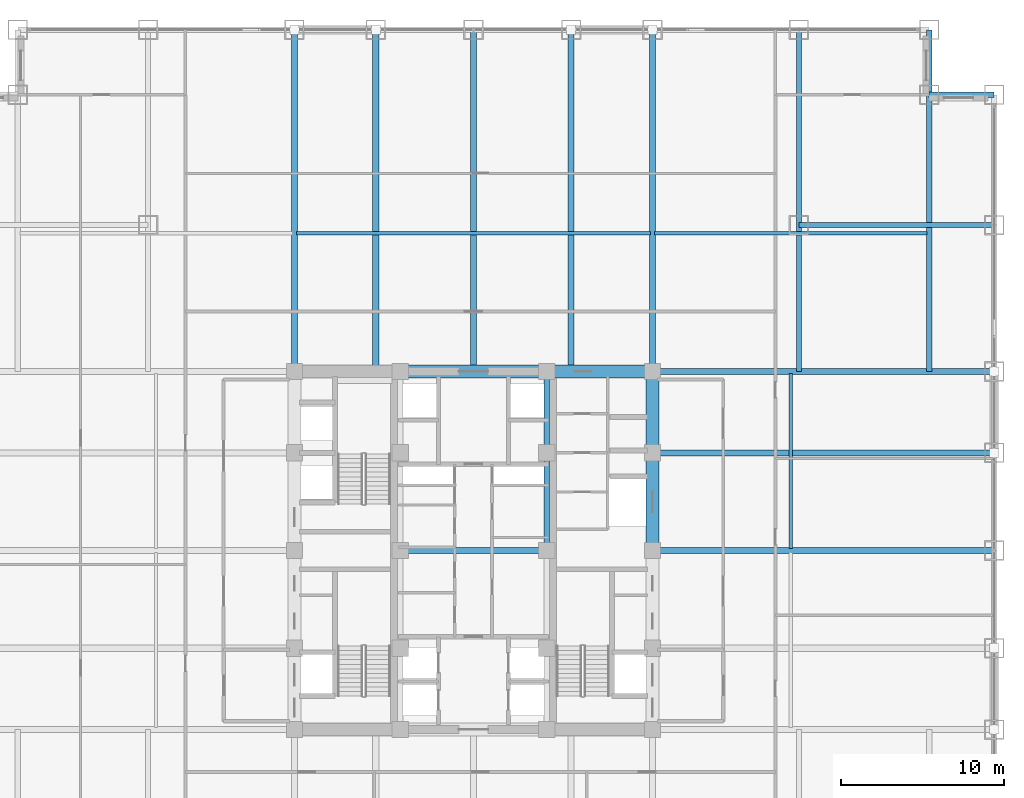
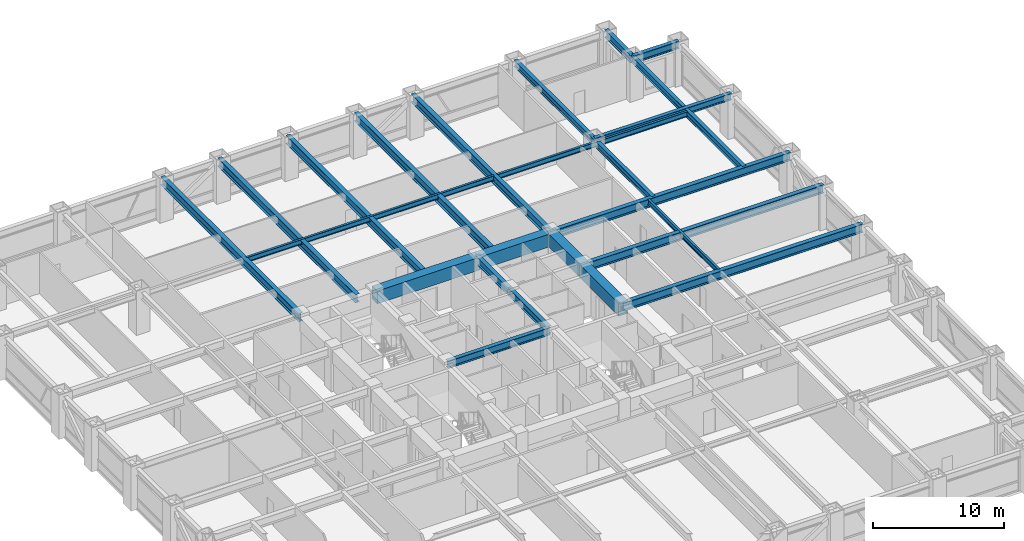
# One storey, part 11 of 27: 23 beams.
"""IFC4 building model written with IfcOpenShell, lengths in metres."""

import ifcopenshell
import ifcopenshell.guid

model = None  # the IFC model being written
_history = None  # IfcOwnerHistory: only IFC2X3 demands one
_inside = {}  # id of a spatial element -> (the spatial element, [elements in it])
_under = {}  # id of a project, library or spatial element -> (it, [spatial elements below it])
_declared = {}  # id of a project -> (the project, [libraries it declares])
_typed = {}  # id of a type object -> (the type object, [elements of that type])
_made_of = {}  # id of a material, layer set ... -> (it, [elements and type objects made of it])


def new_model(schema):
    """Start an empty IFC model of exactly this schema.

    Asked for "IFC4X3", IfcOpenShell would pick the latest addendum, in which some entities
    have other attributes; the version numbers below select the first issue.
    IFC2X3 requires an IfcOwnerHistory on every rooted entity: one is made here for all.
    """
    global model, _history
    if schema == "IFC4X3":
        model = ifcopenshell.file(schema_version=(4, 3, 0, 0))
    else:
        model = ifcopenshell.file(schema=schema)
    _inside.clear()
    _under.clear()
    _declared.clear()
    _typed.clear()
    _made_of.clear()
    _history = None
    if model.schema == "IFC2X3":
        org = make("IfcOrganization", Name="unknown")
        user = make(
            "IfcPersonAndOrganization",
            ThePerson=make("IfcPerson", FamilyName="unknown"),
            TheOrganization=org,
        )
        app = make(
            "IfcApplication",
            ApplicationDeveloper=org,
            Version="unknown",
            ApplicationFullName="unknown",
            ApplicationIdentifier="unknown",
        )
        _history = make(
            "IfcOwnerHistory",
            OwningUser=user,
            OwningApplication=app,
            ChangeAction="ADDED",
            CreationDate=0,
        )
    return model


def make(cls, **values):
    """One entity of the class cls with the attributes given. An attribute that is None is left unset."""
    return model.create_entity(
        cls, **{name: value for name, value in values.items() if value is not None}
    )


def rooted(cls, **values):
    """An entity with a GlobalId (a new one), such as an element, a storey or a relation."""
    return make(cls, GlobalId=ifcopenshell.guid.new(), OwnerHistory=_history, **values)


def si_unit(unit_type, name, prefix=None):
    """IfcSIUnit, for example si_unit("LENGTHUNIT", "METRE", prefix="MILLI")."""
    return make("IfcSIUnit", UnitType=unit_type, Prefix=prefix, Name=name)


def assignment(units):
    """IfcUnitAssignment: the units of a project."""
    return None if units is None else make("IfcUnitAssignment", Units=units)


def point(xyz):
    """IfcCartesianPoint."""
    return None if xyz is None else make("IfcCartesianPoint", Coordinates=xyz)


def direction(xyz):
    """IfcDirection."""
    return None if xyz is None else make("IfcDirection", DirectionRatios=xyz)


def frame(location, z_axis=None, x_axis=None):
    """IfcAxis2Placement3D, a coordinate frame: its origin and axes. An axis left out is left unset."""
    return make(
        "IfcAxis2Placement3D",
        Location=point(location),
        Axis=direction(z_axis),
        RefDirection=direction(x_axis),
    )


def frame_2d(location, x_axis=None):
    """IfcAxis2Placement2D, a coordinate frame in the plane: its origin and x axis."""
    return make(
        "IfcAxis2Placement2D", Location=point(location), RefDirection=direction(x_axis)
    )


def origin():
    """The frame at (0, 0, 0) with its axes left unset."""
    return frame((0.0, 0.0, 0.0))


def origin_2d():
    """The frame at (0, 0) in the plane with its x axis left unset."""
    return frame_2d((0.0, 0.0))


def place(relative_to, where):
    """IfcLocalPlacement: puts the frame where relative to a parent placement (None: the world)."""
    return make(
        "IfcLocalPlacement", PlacementRelTo=relative_to, RelativePlacement=where
    )


def context(
    kind, dimensions, precision=None, world=None, true_north=None, identifier=None
):
    """IfcGeometricRepresentationContext, for example the 3D "Model" context."""
    return make(
        "IfcGeometricRepresentationContext",
        ContextIdentifier=identifier,
        ContextType=kind,
        CoordinateSpaceDimension=dimensions,
        Precision=precision,
        WorldCoordinateSystem=world,
        TrueNorth=true_north,
    )


def subcontext(parent, identifier, kind, view, scale=None):
    """IfcGeometricRepresentationSubContext, for example "Body" below "Model"."""
    return make(
        "IfcGeometricRepresentationSubContext",
        ContextIdentifier=identifier,
        ContextType=kind,
        ParentContext=parent,
        TargetScale=scale,
        TargetView=view,
    )


def project(units=None, contexts=None):
    """IfcProject with its units and contexts."""
    return rooted(
        "IfcProject",
        Name="project",
        RepresentationContexts=contexts,
        UnitsInContext=assignment(units),
    )


def spatial(cls, under=None, at=None, **own):
    """A site, building, storey or space (cls), placed at a placement, below another one or the project."""
    s = rooted(cls, ObjectPlacement=at, **own)
    if under is not None:
        _under.setdefault(under.id(), (under, []))[1].append(s)
    return s


def profile(cls, at=None, kind="AREA", **sizes):
    """A parametric profile (cls). Its sizes go by their IFC names, for example OverallWidth=200.0."""
    return make(cls, ProfileType=kind, Position=at, **sizes)


def rectangle(**sizes):
    """IfcRectangleProfileDef."""
    return profile("IfcRectangleProfileDef", **sizes)


def i_section(**sizes):
    """IfcIShapeProfileDef."""
    return profile("IfcIShapeProfileDef", **sizes)


def extrude(swept, where, along, depth):
    """IfcExtrudedAreaSolid: the profile swept, set in the frame where, extruded along a direction by depth."""
    return make(
        "IfcExtrudedAreaSolid",
        SweptArea=swept,
        Position=where,
        ExtrudedDirection=direction(along),
        Depth=depth,
    )


def shape(context_of_items, identifier, shape_type, items):
    """IfcShapeRepresentation: the items that make up one representation, for example the "Body"."""
    return make(
        "IfcShapeRepresentation",
        ContextOfItems=context_of_items,
        RepresentationIdentifier=identifier,
        RepresentationType=shape_type,
        Items=items,
    )


def source(mapping_origin, context_of_items, identifier, shape_type, items):
    """IfcRepresentationMap: a shape defined once, which mapped items show again and again."""
    return make(
        "IfcRepresentationMap",
        MappingOrigin=mapping_origin,
        MappedRepresentation=shape(context_of_items, identifier, shape_type, items),
    )


def transform(
    local_origin,
    x_axis=None,
    y_axis=None,
    z_axis=None,
    scale=None,
    scale2=None,
    scale3=None,
    uniform=True,
):
    """IfcCartesianTransformationOperator3D, or its non-uniform kind. x_axis, y_axis, z_axis: its Axis1, 2, 3."""
    if uniform:
        return make(
            "IfcCartesianTransformationOperator3D",
            Axis1=direction(x_axis),
            Axis2=direction(y_axis),
            LocalOrigin=point(local_origin),
            Scale=scale,
            Axis3=direction(z_axis),
        )
    return make(
        "IfcCartesianTransformationOperator3DnonUniform",
        Axis1=direction(x_axis),
        Axis2=direction(y_axis),
        LocalOrigin=point(local_origin),
        Scale=scale,
        Axis3=direction(z_axis),
        Scale2=scale2,
        Scale3=scale3,
    )


def mapped(mapping_source, mapping_target):
    """IfcMappedItem: shows the shape of a source again, moved by a transform."""
    return make(
        "IfcMappedItem", MappingSource=mapping_source, MappingTarget=mapping_target
    )


def material(Name=None, Category=None):
    """IfcMaterial."""
    return make("IfcMaterial", Name=Name, Category=Category)


def material_profile(
    of_material, cross_section, Name=None, Category=None, Priority=None
):
    """IfcMaterialProfile: a cross section and its material."""
    return make(
        "IfcMaterialProfile",
        Name=Name,
        Material=of_material,
        Profile=cross_section,
        Priority=Priority,
        Category=Category,
    )


def profile_set(profiles, Name=None, composite=None):
    """IfcMaterialProfileSet."""
    return make(
        "IfcMaterialProfileSet",
        Name=Name,
        MaterialProfiles=profiles,
        CompositeProfile=composite,
    )


def made_of(thing, what):
    """Note that an element or type object is made of a material, layer set ...; save() writes the relation."""
    if what is not None:
        _made_of.setdefault(what.id(), (what, []))[1].append(thing)
    return thing


def type_object(cls, material=None, **own):
    """A type object (cls), such as IfcWallType, which elements share."""
    return made_of(rooted(cls, **own), material)


def element(
    cls,
    number,
    at=None,
    inside=None,
    cuts=None,
    type_object=None,
    material=None,
    context=None,
    identifier="Body",
    shape_type=None,
    held_by="IfcProductDefinitionShape",
    body=None,
    shapes=None,
    **own,
):
    """One element of the class cls, such as IfcWall. Its Tag is "e" and its number.

    at: its placement. inside: the storey or other place that contains it. cuts: it is an
    opening in that element (IfcRelVoidsElement). A single representation is given by context,
    identifier, shape_type and body (its items); several are given by shapes. held_by: the class
    of the entity that holds the representations. save() writes the other relations.
    """
    e = rooted(cls, Tag="e%d" % number, ObjectPlacement=at, **own)
    if body is not None:
        shapes = [shape(context, identifier, shape_type, body)]
    if shapes is not None:
        e.Representation = make(held_by, Representations=shapes)
    if inside is not None:
        _inside.setdefault(inside.id(), (inside, []))[1].append(e)
    if cuts is not None:
        rooted(
            "IfcRelVoidsElement", RelatingBuildingElement=cuts, RelatedOpeningElement=e
        )
    if type_object is not None:
        _typed.setdefault(type_object.id(), (type_object, []))[1].append(e)
    return made_of(e, material)


def aggregate(whole, parts):
    """IfcRelAggregates: a whole, such as a stair, and the parts it consists of."""
    return rooted("IfcRelAggregates", RelatingObject=whole, RelatedObjects=parts)


def save(model, path):
    """Write the relations noted so far, then the file.

    IfcRelAggregates (storeys below a building ...), IfcRelContainedInSpatialStructure (elements
    in a storey), IfcRelDefinesByType, IfcRelAssociatesMaterial and IfcRelDeclares: one each for
    every whole, place, type object, material and project.
    """
    for whole, parts in _under.values():
        aggregate(whole, parts)
    for where, things in _inside.values():
        rooted(
            "IfcRelContainedInSpatialStructure",
            RelatedElements=things,
            RelatingStructure=where,
        )
    for kind, things in _typed.values():
        rooted("IfcRelDefinesByType", RelatedObjects=things, RelatingType=kind)
    for what, things in _made_of.values():
        rooted("IfcRelAssociatesMaterial", RelatedObjects=things, RelatingMaterial=what)
    for by, libraries in _declared.values():
        rooted("IfcRelDeclares", RelatingContext=by, RelatedDefinitions=libraries)
    model.write(path)


model = new_model("IFC4")

# Units and contexts
model_context = context("Model", 3, precision=1e-05, world=origin(), true_north=direction((0.0, 1.0)))
body_context = subcontext(model_context, "Body", "Model", "MODEL_VIEW")
ifc_project = project(units=[si_unit("LENGTHUNIT", "METRE"), si_unit("AREAUNIT", "SQUARE_METRE"), si_unit("VOLUMEUNIT", "CUBIC_METRE"), si_unit("PLANEANGLEUNIT", "RADIAN"), si_unit("MASSUNIT", "GRAM", prefix="KILO")], contexts=[model_context])

# Site, building, storey
site_placement = place(None, origin())
site = spatial("IfcSite", under=ifc_project, at=site_placement, CompositionType="ELEMENT")
building_placement = place(site_placement, origin())
building = spatial("IfcBuilding", under=site, at=building_placement, Name="Khorayat Bourse Tower", CompositionType="ELEMENT")
storey_placement = place(building_placement, frame((0.0, 0.0, 107.800048828125)))
storey = spatial("IfcBuildingStorey", under=building, at=storey_placement, Name="L24", CompositionType="ELEMENT", Elevation=107.800048828125)

# Beams
ifc_material_1 = material(Name="Concrete C72/90", Category="concrete")
ifc_material_profile_1 = material_profile(ifc_material_1, rectangle(XDim=0.800048828125, YDim=1.199951171875, at=origin_2d()), Name="RC 800x1200")
ifc_profile_set_1 = profile_set([ifc_material_profile_1], Name="Concrete C72/90")
beam_type_1 = type_object("IfcBeamType", Name="BM-COUP-1200", PredefinedType="BEAM", material=ifc_profile_set_1)
shared_shape_1 = source(origin(), body_context, "Body", "SweptSolid", [
    extrude(rectangle(XDim=0.800048828125, YDim=1.199951171875, at=origin_2d()), origin(), (0.0, 0.0, 1.0), 5.0),
])
beam_1_placement = place(storey_placement, frame((11.0, 6.0, 3.239990234375), z_axis=(0.0, 1.0, 0.0), x_axis=(-1.0, 0.0, 0.0)))
element("IfcBeam", 1, at=beam_1_placement, inside=storey, type_object=beam_type_1, Name="L24 BM-COUP-1200 BM-L24-CRX-16", PredefinedType="BEAM", context=body_context, shape_type="MappedRepresentation", body=[
    mapped(shared_shape_1, transform((0.0, 0.0, 0.0), scale=1.0)),
])
shared_shape_2 = source(origin(), body_context, "Body", "SweptSolid", [
    extrude(rectangle(XDim=0.800048828125, YDim=1.199951171875, at=origin_2d()), origin(), (0.0, 0.0, 1.0), 6.0),
])
beam_2_placement = place(storey_placement, frame((11.0, 0.0, 3.239990234375), z_axis=(0.0, 1.0, 0.0), x_axis=(-1.0, 0.0, 0.0)))
element("IfcBeam", 2, at=beam_2_placement, inside=storey, type_object=beam_type_1, Name="L24 BM-COUP-1200 BM-L24-CRX-15", PredefinedType="BEAM", context=body_context, shape_type="MappedRepresentation", body=[
    mapped(shared_shape_2, transform((0.0, 0.0, 0.0), scale=1.0)),
])
ifc_material_2 = material(Name="Steel ASTM A992 Grade 50", Category="steel")
ifc_material_profile_2 = material_profile(ifc_material_2, i_section(OverallWidth=0.35498046875, OverallDepth=0.695068359375, WebThickness=0.015380859375, FlangeThickness=0.02490234375, FilletRadius=0.01806640625, at=origin_2d()), Name="W690X217")
ifc_profile_set_2 = profile_set([ifc_material_profile_2], Name="Steel ASTM A992 Grade 50")
beam_type_2 = type_object("IfcBeamType", Name="BM-GIRD-690", PredefinedType="BEAM", material=ifc_profile_set_2)
shared_shape_3 = source(origin(), body_context, "Body", "SweptSolid", [
    extrude(i_section(OverallWidth=0.35498046875, OverallDepth=0.695068359375, WebThickness=0.015380859375, FlangeThickness=0.02490234375, FilletRadius=0.01806640625, at=origin_2d()), origin(), (0.0, 0.0, 1.0), 5.0),
])
beam_3_placement = place(storey_placement, frame((4.5, 6.0, 3.492431640625), z_axis=(0.0, 1.0, 0.0), x_axis=(-1.0, 0.0, 0.0)))
element("IfcBeam", 3, at=beam_3_placement, inside=storey, type_object=beam_type_2, Name="L24 BM-GIRD-690 BM-L24-CRX-12", PredefinedType="BEAM", context=body_context, shape_type="MappedRepresentation", body=[
    mapped(shared_shape_3, transform((0.0, 0.0, 0.0), scale=1.0)),
])
shared_shape_4 = source(origin(), body_context, "Body", "SweptSolid", [
    extrude(i_section(OverallWidth=0.35498046875, OverallDepth=0.695068359375, WebThickness=0.015380859375, FlangeThickness=0.02490234375, FilletRadius=0.01806640625, at=origin_2d()), origin(), (0.0, 0.0, 1.0), 6.0),
])
beam_4_placement = place(storey_placement, frame((4.5, 0.0, 3.492431640625), z_axis=(0.0, 1.0, 0.0), x_axis=(-1.0, 0.0, 0.0)))
element("IfcBeam", 4, at=beam_4_placement, inside=storey, type_object=beam_type_2, Name="L24 BM-GIRD-690 BM-L24-CRX-11", PredefinedType="BEAM", context=body_context, shape_type="MappedRepresentation", body=[
    mapped(shared_shape_4, transform((0.0, 0.0, 0.0), scale=1.0)),
])
shared_shape_5 = source(origin(), body_context, "Body", "SweptSolid", [
    extrude(rectangle(XDim=0.800048828125, YDim=1.199951171875, at=origin_2d()), origin(), (0.0, 0.0, 1.0), 6.5),
])
beam_5_placement = place(storey_placement, frame((4.5, 11.0, 3.239990234375), z_axis=(1.0, 0.0, 0.0), x_axis=(0.0, 1.0, 0.0)))
element("IfcBeam", 5, at=beam_5_placement, inside=storey, type_object=beam_type_1, Name="L24 BM-COUP-1200 BM-L24-CRY-22", PredefinedType="BEAM", context=body_context, shape_type="MappedRepresentation", body=[
    mapped(shared_shape_5, transform((0.0, 0.0, 0.0), scale=1.0)),
])
shared_shape_6 = source(origin(), body_context, "Body", "SweptSolid", [
    extrude(rectangle(XDim=0.800048828125, YDim=1.199951171875, at=origin_2d()), origin(), (0.0, 0.0, 1.0), 9.0),
])
beam_6_placement = place(storey_placement, frame((-4.5, 11.0, 3.239990234375), z_axis=(1.0, 0.0, 0.0), x_axis=(0.0, 1.0, 0.0)))
element("IfcBeam", 6, at=beam_6_placement, inside=storey, type_object=beam_type_1, Name="L24 BM-COUP-1200 BM-L24-CRY-21", PredefinedType="BEAM", context=body_context, shape_type="MappedRepresentation", body=[
    mapped(shared_shape_6, transform((0.0, 0.0, 0.0), scale=1.0)),
])
shared_shape_7 = source(origin(), body_context, "Body", "SweptSolid", [
    extrude(i_section(OverallWidth=0.35498046875, OverallDepth=0.695068359375, WebThickness=0.015380859375, FlangeThickness=0.02490234375, FilletRadius=0.01806640625, at=origin_2d()), origin(), (0.0, 0.0, 1.0), 9.0),
])
beam_7_placement = place(storey_placement, frame((-4.5, 0.0, 3.492431640625), z_axis=(1.0, 0.0, 0.0), x_axis=(0.0, 1.0, 0.0)))
element("IfcBeam", 7, at=beam_7_placement, inside=storey, type_object=beam_type_2, Name="L24 BM-GIRD-690 BM-L24-CRY-23", PredefinedType="BEAM", context=body_context, shape_type="MappedRepresentation", body=[
    mapped(shared_shape_7, transform((0.0, 0.0, 0.0), scale=1.0)),
])
ifc_material_profile_3 = material_profile(ifc_material_2, i_section(OverallWidth=0.324951171875, OverallDepth=0.615966796875, WebThickness=0.013916015625, FlangeThickness=0.021484375, FilletRadius=0.01611328125, at=origin_2d()), Name="W610X174")
ifc_profile_set_3 = profile_set([ifc_material_profile_3], Name="Steel ASTM A992 Grade 50")
beam_type_3 = type_object("IfcBeamType", Name="BM-GIRD-610", PredefinedType="BEAM", material=ifc_profile_set_3)
shared_shape_8 = source(origin(), body_context, "Body", "SweptSolid", [
    extrude(i_section(OverallWidth=0.324951171875, OverallDepth=0.615966796875, WebThickness=0.013916015625, FlangeThickness=0.021484375, FilletRadius=0.01611328125, at=origin_2d()), origin(), (0.0, 0.0, 1.0), 21.0),
])
beam_8_placement = place(storey_placement, frame((20.0, 11.0, 3.531982421875), z_axis=(0.0, 1.0, 0.0), x_axis=(-1.0, 0.0, 0.0)))
element("IfcBeam", 8, at=beam_8_placement, inside=storey, type_object=beam_type_3, Name="L24 BM-GIRD-610 BM-L24-CNRY-087", PredefinedType="BEAM", context=body_context, shape_type="MappedRepresentation", body=[
    mapped(shared_shape_8, transform((0.0, 0.0, 0.0), scale=1.0)),
])
shared_shape_9 = source(origin(), body_context, "Body", "SweptSolid", [
    extrude(i_section(OverallWidth=0.324951171875, OverallDepth=0.615966796875, WebThickness=0.013916015625, FlangeThickness=0.021484375, FilletRadius=0.01611328125, at=origin_2d()), origin(), (0.0, 0.0, 1.0), 12.0),
])
beam_9_placement = place(storey_placement, frame((20.0, 20.0, 3.531982421875), z_axis=(1.0, 0.0, 0.0), x_axis=(0.0, 1.0, 0.0)))
element("IfcBeam", 9, at=beam_9_placement, inside=storey, type_object=beam_type_3, Name="L24 BM-GIRD-610 BM-L24-CNRX-094", PredefinedType="BEAM", context=body_context, shape_type="MappedRepresentation", body=[
    mapped(shared_shape_9, transform((0.0, 0.0, 0.0), scale=1.0)),
])
ifc_material_profile_4 = material_profile(ifc_material_2, i_section(OverallWidth=0.194091796875, OverallDepth=0.468994140625, WebThickness=0.0126953125, FlangeThickness=0.0205078125, FilletRadius=0.012939453125, at=origin_2d()), Name="W460X106")
ifc_profile_set_4 = profile_set([ifc_material_profile_4], Name="Steel ASTM A992 Grade 50")
beam_type_4 = type_object("IfcBeamType", Name="BM-JOIST-460", PredefinedType="JOIST", material=ifc_profile_set_4)
shared_shape_10 = source(origin(), body_context, "Body", "SweptSolid", [
    extrude(i_section(OverallWidth=0.194091796875, OverallDepth=0.468994140625, WebThickness=0.0126953125, FlangeThickness=0.0205078125, FilletRadius=0.012939453125, at=origin_2d()), origin(), (0.0, 0.0, 1.0), 21.740234375),
])
beam_10_placement = place(storey_placement, frame((-10.8701171875, 19.5, 3.60546875), z_axis=(1.0, 0.0, 0.0), x_axis=(0.0, 1.0, 0.0)))
element("IfcBeam", 10, at=beam_10_placement, inside=storey, type_object=beam_type_4, Name="L24 BM-JOIST-460 BM-L24-JSTX-100", PredefinedType="JOIST", context=body_context, shape_type="MappedRepresentation", body=[
    mapped(shared_shape_10, transform((0.0, 0.0, 0.0), scale=1.0)),
])
shared_shape_11 = source(origin(), body_context, "Body", "SweptSolid", [
    extrude(i_section(OverallWidth=0.194091796875, OverallDepth=0.468994140625, WebThickness=0.0126953125, FlangeThickness=0.0205078125, FilletRadius=0.012939453125, at=origin_2d()), origin(), (0.0, 0.0, 1.0), 10.740234375),
])
beam_11_placement = place(storey_placement, frame((19.5, 0.1298828125, 3.60546875), z_axis=(0.0, 1.0, 0.0), x_axis=(-1.0, 0.0, 0.0)))
element("IfcBeam", 11, at=beam_11_placement, inside=storey, type_object=beam_type_4, Name="L24 BM-JOIST-460 BM-L24-JSTY-105", PredefinedType="JOIST", context=body_context, shape_type="MappedRepresentation", body=[
    mapped(shared_shape_11, transform((0.0, 0.0, 0.0), scale=1.0)),
])
ifc_material_profile_5 = material_profile(ifc_material_2, i_section(OverallWidth=0.35498046875, OverallDepth=0.695068359375, WebThickness=0.015380859375, FlangeThickness=0.02490234375, FilletRadius=0.01806640625, at=origin_2d()), Name="W690X217")
ifc_profile_set_5 = profile_set([ifc_material_profile_5], Name="Steel ASTM A992 Grade 50")
beam_type_5 = type_object("IfcBeamType", Name="BM-SPAN-690", PredefinedType="SPANDREL", material=ifc_profile_set_5)
shared_shape_12 = source(origin(), body_context, "Body", "SweptSolid", [
    extrude(i_section(OverallWidth=0.35498046875, OverallDepth=0.695068359375, WebThickness=0.015380859375, FlangeThickness=0.02490234375, FilletRadius=0.01806640625, at=origin_2d()), origin(), (0.0, 0.0, 1.0), 4.0),
])
for number, where, z_axis, x_axis, name in (
    (12, (28.0, 28.0, 3.492431640625), (1.0, 0.0, 0.0), (0.0, 1.0, 0.0), "L24 BM-SPAN-690 BM-L24-SPN-042"),
    (13, (28.0, 28.0, 3.492431640625), (0.0, 1.0, 0.0), (-1.0, 0.0, 0.0), "L24 BM-SPAN-690 BM-L24-SPN-043"),
):
    element("IfcBeam", number, at=place(storey_placement, frame(where, z_axis=z_axis, x_axis=x_axis)), inside=storey, type_object=beam_type_5, Name=name, PredefinedType="SPANDREL", context=body_context, shape_type="MappedRepresentation", body=[
        mapped(shared_shape_12, transform((0.0, 0.0, 0.0), scale=1.0)),
    ])
ifc_material_profile_6 = material_profile(ifc_material_2, i_section(OverallWidth=0.381103515625, OverallDepth=0.77294921875, WebThickness=0.0166015625, FlangeThickness=0.027587890625, FilletRadius=0.01806640625, at=origin_2d()), Name="W760X257")
ifc_profile_set_6 = profile_set([ifc_material_profile_6], Name="Steel ASTM A992 Grade 50")
beam_type_6 = type_object("IfcBeamType", Name="BM-GIRD-760", PredefinedType="BEAM", material=ifc_profile_set_6)
shared_shape_13 = source(origin(), body_context, "Body", "SweptSolid", [
    extrude(i_section(OverallWidth=0.381103515625, OverallDepth=0.77294921875, WebThickness=0.0166015625, FlangeThickness=0.027587890625, FilletRadius=0.01806640625, at=origin_2d()), origin(), (0.0, 0.0, 1.0), 21.0),
])
for number, where, z_axis, x_axis, name in (
    (14, (-11.0, 11.0, 3.453369140625), (0.0, 1.0, 0.0), (-1.0, 0.0, 0.0), "L24 BM-GIRD-760 BM-L24-RADY-064"),
    (15, (-6.0, 11.0, 3.453369140625), (0.0, 1.0, 0.0), (-1.0, 0.0, 0.0), "L24 BM-GIRD-760 BM-L24-RADY-066"),
    (16, (0.0, 11.0, 3.453369140625), (0.0, 1.0, 0.0), (-1.0, 0.0, 0.0), "L24 BM-GIRD-760 BM-L24-RADY-068"),
    (17, (6.0, 11.0, 3.453369140625), (0.0, 1.0, 0.0), (-1.0, 0.0, 0.0), "L24 BM-GIRD-760 BM-L24-RADY-070"),
    (18, (11.0, 11.0, 3.453369140625), (0.0, 1.0, 0.0), (-1.0, 0.0, 0.0), "L24 BM-GIRD-760 BM-L24-RADY-072"),
    (19, (11.0, 0.0, 3.453369140625), (1.0, 0.0, 0.0), (0.0, 1.0, 0.0), "L24 BM-GIRD-760 BM-L24-RADX-078"),
    (20, (11.0, 6.0, 3.453369140625), (1.0, 0.0, 0.0), (0.0, 1.0, 0.0), "L24 BM-GIRD-760 BM-L24-RADX-080"),
    (21, (11.0, 11.0, 3.453369140625), (1.0, 0.0, 0.0), (0.0, 1.0, 0.0), "L24 BM-GIRD-760 BM-L24-RADX-082"),
):
    element("IfcBeam", number, at=place(storey_placement, frame(where, z_axis=z_axis, x_axis=x_axis)), inside=storey, type_object=beam_type_6, Name=name, PredefinedType="BEAM", context=body_context, shape_type="MappedRepresentation", body=[
        mapped(shared_shape_13, transform((0.0, 0.0, 0.0), scale=1.0)),
    ])
shared_shape_14 = source(origin(), body_context, "Body", "SweptSolid", [
    extrude(i_section(OverallWidth=0.324951171875, OverallDepth=0.615966796875, WebThickness=0.013916015625, FlangeThickness=0.021484375, FilletRadius=0.01611328125, at=origin_2d()), origin(), (0.0, 0.0, 1.0), 17.0),
])
beam_12_placement = place(storey_placement, frame((28.0, 11.0, 3.531982421875), z_axis=(0.0, 1.0, 0.0), x_axis=(-1.0, 0.0, 0.0)))
element("IfcBeam", 22, at=beam_12_placement, inside=storey, type_object=beam_type_3, Name="L24 BM-GIRD-610 BM-L24-CNRY-091", PredefinedType="BEAM", context=body_context, shape_type="MappedRepresentation", body=[
    mapped(shared_shape_14, transform((0.0, 0.0, 0.0), scale=1.0)),
])
shared_shape_15 = source(origin(), body_context, "Body", "SweptSolid", [
    extrude(i_section(OverallWidth=0.194091796875, OverallDepth=0.468994140625, WebThickness=0.0126953125, FlangeThickness=0.0205078125, FilletRadius=0.012939453125, at=origin_2d()), origin(), (0.0, 0.0, 1.0), 16.740234375),
])
beam_13_placement = place(storey_placement, frame((11.1298828125, 19.5, 3.60546875), z_axis=(1.0, 0.0, 0.0), x_axis=(0.0, 1.0, 0.0)))
element("IfcBeam", 23, at=beam_13_placement, inside=storey, type_object=beam_type_4, Name="L24 BM-JOIST-460 BM-L24-JSTX-101", PredefinedType="JOIST", context=body_context, shape_type="MappedRepresentation", body=[
    mapped(shared_shape_15, transform((0.0, 0.0, 0.0), scale=1.0)),
])

save(model, "model.ifc")
